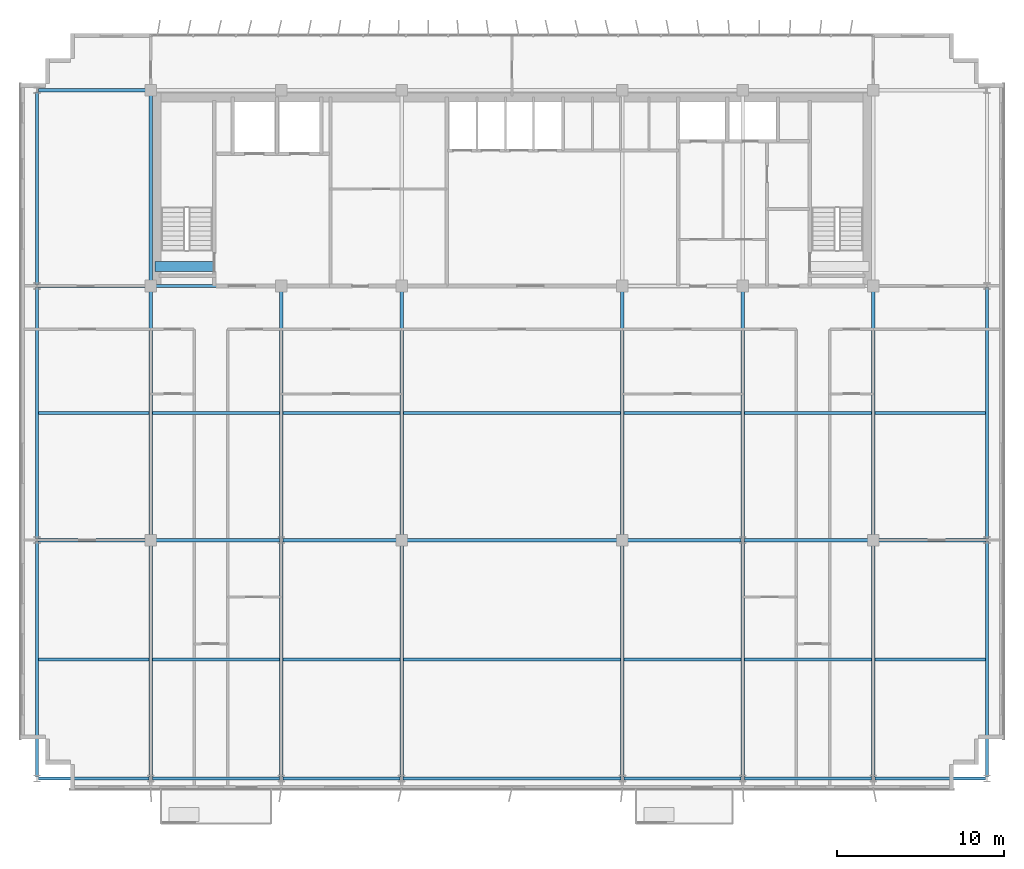
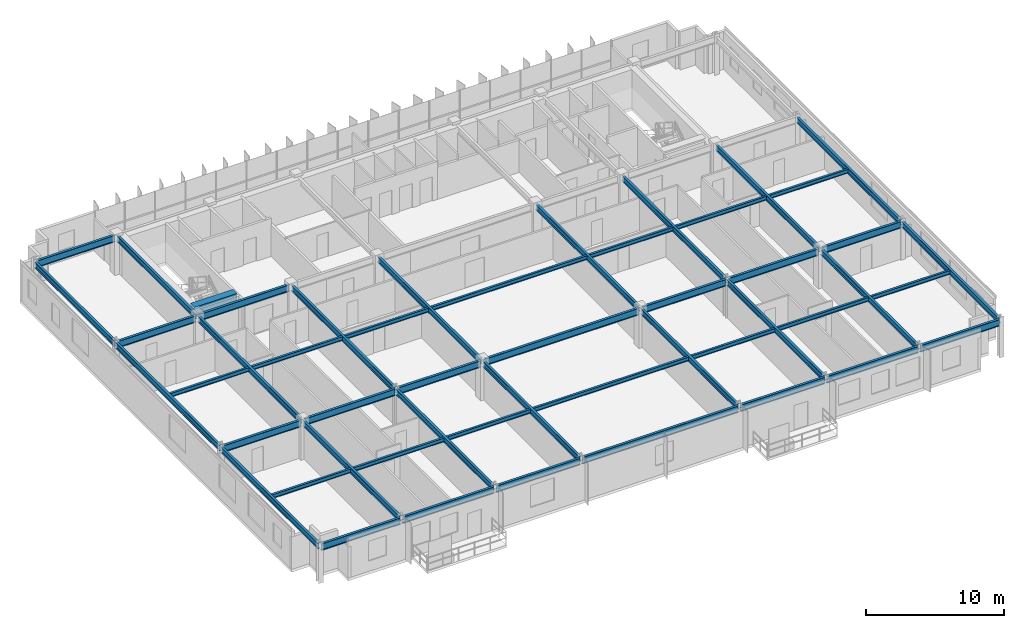
# One storey, part 3 of 20: 50 beams.
"""IFC4 building model written with IfcOpenShell, lengths in metres."""

from ifc_helpers import new_model, si_unit, direction, frame, origin, origin_2d, place, context, subcontext, project, spatial, rectangle, i_section, extrude, source, transform, mapped, material, material_profile, profile_set, type_object, element, save


model = new_model("IFC4")

# Units and contexts
model_context = context("Model", 3, precision=1e-05, world=origin(), true_north=direction((0.0, 1.0)))
body_context = subcontext(model_context, "Body", "Model", "MODEL_VIEW")
ifc_project = project(units=[si_unit("LENGTHUNIT", "METRE"), si_unit("AREAUNIT", "SQUARE_METRE"), si_unit("VOLUMEUNIT", "CUBIC_METRE"), si_unit("PLANEANGLEUNIT", "RADIAN"), si_unit("MASSUNIT", "GRAM", prefix="KILO")], contexts=[model_context])

# Site, building, storey
site_placement = place(None, origin())
site = spatial("IfcSite", under=ifc_project, at=site_placement, CompositionType="ELEMENT")
building_placement = place(site_placement, origin())
building = spatial("IfcBuilding", under=site, at=building_placement, Name="Trelvane Seafront Commons", CompositionType="ELEMENT")
storey_placement = place(building_placement, frame((0.0, 0.0, 142.89990234375)))
storey = spatial("IfcBuildingStorey", under=building, at=storey_placement, Name="L37", CompositionType="ELEMENT", Elevation=142.89990234375)

# Beams
ifc_material_1 = material(Name="Concrete C60/75", Category="concrete")
ifc_material_profile_1 = material_profile(ifc_material_1, rectangle(XDim=0.60009765625, YDim=0.89990234375, at=origin_2d()), Name="RC-600x900")
ifc_profile_set_1 = profile_set([ifc_material_profile_1], Name="Concrete C60/75")
beam_type_1 = type_object("IfcBeamType", Name="STR-LNT-RC600x900", PredefinedType="LINTEL", material=ifc_profile_set_1)
shared_shape_1 = source(origin(), body_context, "Body", "SweptSolid", [
    extrude(rectangle(XDim=0.60009765625, YDim=0.89990234375, at=origin_2d()), origin(), (0.0, 0.0, 1.0), 3.5498046875),
])
beam_1_placement = place(storey_placement, frame((15.85009765625, 34.550048828125, 2.900146484375), z_axis=(1.0, 0.0, 0.0), x_axis=(0.0, 1.0, 0.0)))
element("IfcBeam", 1, at=beam_1_placement, inside=storey, type_object=beam_type_1, Name="L37 Core Coupling Lintel Beam CB-67", PredefinedType="LINTEL", context=body_context, shape_type="MappedRepresentation", body=[
    mapped(shared_shape_1, transform((0.0, 0.0, 0.0), x_axis=(1.0, 0.0, 0.0), y_axis=(0.0, 1.0, 0.0), z_axis=(0.0, 0.0, 1.0), scale=1.0)),
])
ifc_material_2 = material(Name="Steel SM355 (S355)", Category="steel")
ifc_material_profile_2 = material_profile(ifc_material_2, i_section(OverallWidth=0.199951171875, OverallDepth=0.5, WebThickness=0.010009765625, FlangeThickness=0.01611328125, at=origin_2d()), Name="H-500x200x10x16")
ifc_profile_set_2 = profile_set([ifc_material_profile_2], Name="Steel SM355 (S355)")
beam_type_2 = type_object("IfcBeamType", Name="STR-BM-H500", PredefinedType="BEAM", material=ifc_profile_set_2)
shared_shape_2 = source(origin(), body_context, "Body", "SweptSolid", [
    extrude(i_section(OverallWidth=0.199951171875, OverallDepth=0.5, WebThickness=0.010009765625, FlangeThickness=0.01611328125, at=origin_2d()), origin(), (0.0, 0.0, 1.0), 14.89990234375),
])
for number, where, z_axis, x_axis, name in (
    (2, (15.60009765625, 18.35009765625, 3.10009765625), (0.0, 1.0, 0.0), (-1.0, 0.0, 0.0), "L37 Primary Girder G-33"),
    (3, (30.60009765625, 18.35009765625, 3.10009765625), (0.0, 1.0, 0.0), (-1.0, 0.0, 0.0), "L37 Primary Girder G-39"),
    (4, (43.800048828125, 18.35009765625, 3.10009765625), (0.0, 1.0, 0.0), (-1.0, 0.0, 0.0), "L37 Primary Girder G-42"),
    (5, (58.800048828125, 18.35009765625, 3.10009765625), (0.0, 1.0, 0.0), (-1.0, 0.0, 0.0), "L37 Primary Girder G-48"),
):
    element("IfcBeam", number, at=place(storey_placement, frame(where, z_axis=z_axis, x_axis=x_axis)), inside=storey, type_object=beam_type_2, Name=name, PredefinedType="BEAM", context=body_context, shape_type="MappedRepresentation", body=[
        mapped(shared_shape_2, transform((0.0, 0.0, 0.0), x_axis=(1.0, 0.0, 0.0), y_axis=(0.0, 1.0, 0.0), z_axis=(0.0, 0.0, 1.0), scale=1.0)),
    ])
shared_shape_3 = source(origin(), body_context, "Body", "SweptSolid", [
    extrude(i_section(OverallWidth=0.199951171875, OverallDepth=0.5, WebThickness=0.010009765625, FlangeThickness=0.01611328125, at=origin_2d()), origin(), (0.0, 0.0, 1.0), 11.39990234375),
])
beam_2_placement = place(storey_placement, frame((15.60009765625, 33.550048828125, 3.10009765625), z_axis=(0.0, 1.0, 0.0), x_axis=(-1.0, 0.0, 0.0)))
element("IfcBeam", 6, at=beam_2_placement, inside=storey, type_object=beam_type_2, Name="L37 Primary Girder G-34", PredefinedType="BEAM", context=body_context, shape_type="MappedRepresentation", body=[
    mapped(shared_shape_3, transform((0.0, 0.0, 0.0), x_axis=(1.0, 0.0, 0.0), y_axis=(0.0, 1.0, 0.0), z_axis=(0.0, 0.0, 1.0), scale=1.0)),
])
ifc_material_profile_3 = material_profile(ifc_material_2, i_section(OverallWidth=0.175048828125, OverallDepth=0.35009765625, WebThickness=0.007080078125, FlangeThickness=0.010986328125, at=origin_2d()), Name="H-350x175x7x11")
ifc_profile_set_3 = profile_set([ifc_material_profile_3], Name="Steel SM355 (S355)")
beam_type_3 = type_object("IfcBeamType", Name="STR-JST-H350", PredefinedType="JOIST", material=ifc_profile_set_3)
shared_shape_4 = source(origin(), body_context, "Body", "SweptSolid", [
    extrude(i_section(OverallWidth=0.175048828125, OverallDepth=0.35009765625, WebThickness=0.007080078125, FlangeThickness=0.010986328125, at=origin_2d()), origin(), (0.0, 0.0, 1.0), 6.60009765625),
])
for number, where, z_axis, x_axis, name in (
    (7, (8.89990234375, 11.074951171875, 3.175048828125), (1.0, 0.0, 0.0), (0.0, 1.0, 0.0), "L37 Secondary Floor Joist B-53"),
    (8, (58.89990234375, 11.074951171875, 3.175048828125), (1.0, 0.0, 0.0), (0.0, 1.0, 0.0), "L37 Secondary Floor Joist B-59"),
    (9, (8.89990234375, 25.800048828125, 3.175048828125), (1.0, 0.0, 0.0), (0.0, 1.0, 0.0), "L37 Secondary Floor Joist B-60"),
    (10, (58.89990234375, 25.800048828125, 3.175048828125), (1.0, 0.0, 0.0), (0.0, 1.0, 0.0), "L37 Secondary Floor Joist B-66"),
):
    element("IfcBeam", number, at=place(storey_placement, frame(where, z_axis=z_axis, x_axis=x_axis)), inside=storey, type_object=beam_type_3, Name=name, PredefinedType="JOIST", context=body_context, shape_type="MappedRepresentation", body=[
        mapped(shared_shape_4, transform((0.0, 0.0, 0.0), x_axis=(1.0, 0.0, 0.0), y_axis=(0.0, 1.0, 0.0), z_axis=(0.0, 0.0, 1.0), scale=1.0)),
    ])
shared_shape_5 = source(origin(), body_context, "Body", "SweptSolid", [
    extrude(i_section(OverallWidth=0.175048828125, OverallDepth=0.35009765625, WebThickness=0.007080078125, FlangeThickness=0.010986328125, at=origin_2d()), origin(), (0.0, 0.0, 1.0), 7.60009765625),
])
for number, where, z_axis, x_axis, name in (
    (11, (15.699951171875, 11.074951171875, 3.175048828125), (1.0, 0.0, 0.0), (0.0, 1.0, 0.0), "L37 Secondary Floor Joist B-54"),
    (12, (15.699951171875, 25.800048828125, 3.175048828125), (1.0, 0.0, 0.0), (0.0, 1.0, 0.0), "L37 Secondary Floor Joist B-61"),
):
    element("IfcBeam", number, at=place(storey_placement, frame(where, z_axis=z_axis, x_axis=x_axis)), inside=storey, type_object=beam_type_3, Name=name, PredefinedType="JOIST", context=body_context, shape_type="MappedRepresentation", body=[
        mapped(shared_shape_5, transform((0.0, 0.0, 0.0), x_axis=(1.0, 0.0, 0.0), y_axis=(0.0, 1.0, 0.0), z_axis=(0.0, 0.0, 1.0), scale=1.0)),
    ])
shared_shape_6 = source(origin(), body_context, "Body", "SweptSolid", [
    extrude(i_section(OverallWidth=0.175048828125, OverallDepth=0.35009765625, WebThickness=0.007080078125, FlangeThickness=0.010986328125, at=origin_2d()), origin(), (0.0, 0.0, 1.0), 7.0),
])
for number, where, z_axis, x_axis, name in (
    (13, (23.5, 11.074951171875, 3.175048828125), (1.0, 0.0, 0.0), (0.0, 1.0, 0.0), "L37 Secondary Floor Joist B-55"),
    (14, (43.89990234375, 11.074951171875, 3.175048828125), (1.0, 0.0, 0.0), (0.0, 1.0, 0.0), "L37 Secondary Floor Joist B-57"),
    (15, (23.5, 25.800048828125, 3.175048828125), (1.0, 0.0, 0.0), (0.0, 1.0, 0.0), "L37 Secondary Floor Joist B-62"),
    (16, (43.89990234375, 25.800048828125, 3.175048828125), (1.0, 0.0, 0.0), (0.0, 1.0, 0.0), "L37 Secondary Floor Joist B-64"),
):
    element("IfcBeam", number, at=place(storey_placement, frame(where, z_axis=z_axis, x_axis=x_axis)), inside=storey, type_object=beam_type_3, Name=name, PredefinedType="JOIST", context=body_context, shape_type="MappedRepresentation", body=[
        mapped(shared_shape_6, transform((0.0, 0.0, 0.0), x_axis=(1.0, 0.0, 0.0), y_axis=(0.0, 1.0, 0.0), z_axis=(0.0, 0.0, 1.0), scale=1.0)),
    ])
shared_shape_7 = source(origin(), body_context, "Body", "SweptSolid", [
    extrude(i_section(OverallWidth=0.175048828125, OverallDepth=0.35009765625, WebThickness=0.007080078125, FlangeThickness=0.010986328125, at=origin_2d()), origin(), (0.0, 0.0, 1.0), 13.0),
])
for number, where, z_axis, x_axis, name in (
    (17, (30.699951171875, 11.074951171875, 3.175048828125), (1.0, 0.0, 0.0), (0.0, 1.0, 0.0), "L37 Secondary Floor Joist B-56"),
    (18, (30.699951171875, 25.800048828125, 3.175048828125), (1.0, 0.0, 0.0), (0.0, 1.0, 0.0), "L37 Secondary Floor Joist B-63"),
):
    element("IfcBeam", number, at=place(storey_placement, frame(where, z_axis=z_axis, x_axis=x_axis)), inside=storey, type_object=beam_type_3, Name=name, PredefinedType="JOIST", context=body_context, shape_type="MappedRepresentation", body=[
        mapped(shared_shape_7, transform((0.0, 0.0, 0.0), x_axis=(1.0, 0.0, 0.0), y_axis=(0.0, 1.0, 0.0), z_axis=(0.0, 0.0, 1.0), scale=1.0)),
    ])
shared_shape_8 = source(origin(), body_context, "Body", "SweptSolid", [
    extrude(i_section(OverallWidth=0.175048828125, OverallDepth=0.35009765625, WebThickness=0.007080078125, FlangeThickness=0.010986328125, at=origin_2d()), origin(), (0.0, 0.0, 1.0), 7.599853515625),
])
for number, where, z_axis, x_axis, name in (
    (19, (51.10009765625, 11.074951171875, 3.175048828125), (1.0, 0.0, 0.0), (0.0, 1.0, 0.0), "L37 Secondary Floor Joist B-58"),
    (20, (51.10009765625, 25.800048828125, 3.175048828125), (1.0, 0.0, 0.0), (0.0, 1.0, 0.0), "L37 Secondary Floor Joist B-65"),
):
    element("IfcBeam", number, at=place(storey_placement, frame(where, z_axis=z_axis, x_axis=x_axis)), inside=storey, type_object=beam_type_3, Name=name, PredefinedType="JOIST", context=body_context, shape_type="MappedRepresentation", body=[
        mapped(shared_shape_8, transform((0.0, 0.0, 0.0), x_axis=(1.0, 0.0, 0.0), y_axis=(0.0, 1.0, 0.0), z_axis=(0.0, 0.0, 1.0), scale=1.0)),
    ])
ifc_material_profile_4 = material_profile(ifc_material_2, i_section(OverallWidth=0.199951171875, OverallDepth=0.60009765625, WebThickness=0.010986328125, FlangeThickness=0.01708984375, at=origin_2d()), Name="H-600x200x11x17")
ifc_profile_set_4 = profile_set([ifc_material_profile_4], Name="Steel SM355 (S355)")
beam_type_4 = type_object("IfcBeamType", Name="STR-SPD-H600", PredefinedType="SPANDREL", material=ifc_profile_set_4)
shared_shape_9 = source(origin(), body_context, "Body", "SweptSolid", [
    extrude(i_section(OverallWidth=0.199951171875, OverallDepth=0.60009765625, WebThickness=0.010986328125, FlangeThickness=0.01708984375, at=origin_2d()), origin(), (0.0, 0.0, 1.0), 6.60986328125),
])
for number, where, z_axis, x_axis, name in (
    (21, (8.89501953125, 3.949951171875, 3.050048828125), (1.0, 0.0, 0.0), (0.0, 1.0, 0.0), "L37 Primary Girder G-01"),
    (22, (58.89501953125, 3.949951171875, 3.050048828125), (1.0, 0.0, 0.0), (0.0, 1.0, 0.0), "L37 Primary Girder G-07"),
):
    element("IfcBeam", number, at=place(storey_placement, frame(where, z_axis=z_axis, x_axis=x_axis)), inside=storey, type_object=beam_type_4, Name=name, PredefinedType="SPANDREL", context=body_context, shape_type="MappedRepresentation", body=[
        mapped(shared_shape_9, transform((0.0, 0.0, 0.0), x_axis=(1.0, 0.0, 0.0), y_axis=(0.0, 1.0, 0.0), z_axis=(0.0, 0.0, 1.0), scale=1.0)),
    ])
shared_shape_10 = source(origin(), body_context, "Body", "SweptSolid", [
    extrude(i_section(OverallWidth=0.199951171875, OverallDepth=0.60009765625, WebThickness=0.010986328125, FlangeThickness=0.01708984375, at=origin_2d()), origin(), (0.0, 0.0, 1.0), 7.60986328125),
])
beam_3_placement = place(storey_placement, frame((15.695068359375, 3.949951171875, 3.050048828125), z_axis=(1.0, 0.0, 0.0), x_axis=(0.0, 1.0, 0.0)))
element("IfcBeam", 23, at=beam_3_placement, inside=storey, type_object=beam_type_4, Name="L37 Primary Girder G-02", PredefinedType="SPANDREL", context=body_context, shape_type="MappedRepresentation", body=[
    mapped(shared_shape_10, transform((0.0, 0.0, 0.0), x_axis=(1.0, 0.0, 0.0), y_axis=(0.0, 1.0, 0.0), z_axis=(0.0, 0.0, 1.0), scale=1.0)),
])
shared_shape_11 = source(origin(), body_context, "Body", "SweptSolid", [
    extrude(i_section(OverallWidth=0.199951171875, OverallDepth=0.60009765625, WebThickness=0.010986328125, FlangeThickness=0.01708984375, at=origin_2d()), origin(), (0.0, 0.0, 1.0), 7.009765625),
])
beam_4_placement = place(storey_placement, frame((23.4951171875, 3.949951171875, 3.050048828125), z_axis=(1.0, 0.0, 0.0), x_axis=(0.0, 1.0, 0.0)))
element("IfcBeam", 24, at=beam_4_placement, inside=storey, type_object=beam_type_4, Name="L37 Primary Girder G-03", PredefinedType="SPANDREL", context=body_context, shape_type="MappedRepresentation", body=[
    mapped(shared_shape_11, transform((0.0, 0.0, 0.0), x_axis=(1.0, 0.0, 0.0), y_axis=(0.0, 1.0, 0.0), z_axis=(0.0, 0.0, 1.0), scale=1.0)),
])
shared_shape_12 = source(origin(), body_context, "Body", "SweptSolid", [
    extrude(i_section(OverallWidth=0.199951171875, OverallDepth=0.60009765625, WebThickness=0.010986328125, FlangeThickness=0.01708984375, at=origin_2d()), origin(), (0.0, 0.0, 1.0), 13.010009765625),
])
beam_5_placement = place(storey_placement, frame((30.695068359375, 3.949951171875, 3.050048828125), z_axis=(1.0, 0.0, 0.0), x_axis=(0.0, 1.0, 0.0)))
element("IfcBeam", 25, at=beam_5_placement, inside=storey, type_object=beam_type_4, Name="L37 Primary Girder G-04", PredefinedType="SPANDREL", context=body_context, shape_type="MappedRepresentation", body=[
    mapped(shared_shape_12, transform((0.0, 0.0, 0.0), x_axis=(1.0, 0.0, 0.0), y_axis=(0.0, 1.0, 0.0), z_axis=(0.0, 0.0, 1.0), scale=1.0)),
])
shared_shape_13 = source(origin(), body_context, "Body", "SweptSolid", [
    extrude(i_section(OverallWidth=0.199951171875, OverallDepth=0.60009765625, WebThickness=0.010986328125, FlangeThickness=0.01708984375, at=origin_2d()), origin(), (0.0, 0.0, 1.0), 7.010009765625),
])
beam_6_placement = place(storey_placement, frame((43.89501953125, 3.949951171875, 3.050048828125), z_axis=(1.0, 0.0, 0.0), x_axis=(0.0, 1.0, 0.0)))
element("IfcBeam", 26, at=beam_6_placement, inside=storey, type_object=beam_type_4, Name="L37 Primary Girder G-05", PredefinedType="SPANDREL", context=body_context, shape_type="MappedRepresentation", body=[
    mapped(shared_shape_13, transform((0.0, 0.0, 0.0), x_axis=(1.0, 0.0, 0.0), y_axis=(0.0, 1.0, 0.0), z_axis=(0.0, 0.0, 1.0), scale=1.0)),
])
shared_shape_14 = source(origin(), body_context, "Body", "SweptSolid", [
    extrude(i_section(OverallWidth=0.199951171875, OverallDepth=0.60009765625, WebThickness=0.010986328125, FlangeThickness=0.01708984375, at=origin_2d()), origin(), (0.0, 0.0, 1.0), 7.610107421875),
])
beam_7_placement = place(storey_placement, frame((51.094970703125, 3.949951171875, 3.050048828125), z_axis=(1.0, 0.0, 0.0), x_axis=(0.0, 1.0, 0.0)))
element("IfcBeam", 27, at=beam_7_placement, inside=storey, type_object=beam_type_4, Name="L37 Primary Girder G-06", PredefinedType="SPANDREL", context=body_context, shape_type="MappedRepresentation", body=[
    mapped(shared_shape_14, transform((0.0, 0.0, 0.0), x_axis=(1.0, 0.0, 0.0), y_axis=(0.0, 1.0, 0.0), z_axis=(0.0, 0.0, 1.0), scale=1.0)),
])
shared_shape_15 = source(origin(), body_context, "Body", "SweptSolid", [
    extrude(i_section(OverallWidth=0.199951171875, OverallDepth=0.60009765625, WebThickness=0.010986328125, FlangeThickness=0.01708984375, at=origin_2d()), origin(), (0.0, 0.0, 1.0), 6.554931640625),
])
for number, where, z_axis, x_axis, name in (
    (28, (8.89501953125, 18.199951171875, 3.050048828125), (1.0, 0.0, 0.0), (0.0, 1.0, 0.0), "L37 Primary Girder G-08"),
    (29, (58.949951171875, 18.199951171875, 3.050048828125), (1.0, 0.0, 0.0), (0.0, 1.0, 0.0), "L37 Primary Girder G-14"),
    (30, (8.89501953125, 33.39990234375, 3.050048828125), (1.0, 0.0, 0.0), (0.0, 1.0, 0.0), "L37 Primary Girder G-15"),
    (31, (8.89501953125, 45.10009765625, 3.050048828125), (1.0, 0.0, 0.0), (0.0, 1.0, 0.0), "L37 Primary Girder G-22"),
):
    element("IfcBeam", number, at=place(storey_placement, frame(where, z_axis=z_axis, x_axis=x_axis)), inside=storey, type_object=beam_type_4, Name=name, PredefinedType="SPANDREL", context=body_context, shape_type="MappedRepresentation", body=[
        mapped(shared_shape_15, transform((0.0, 0.0, 0.0), x_axis=(1.0, 0.0, 0.0), y_axis=(0.0, 1.0, 0.0), z_axis=(0.0, 0.0, 1.0), scale=1.0)),
    ])
shared_shape_16 = source(origin(), body_context, "Body", "SweptSolid", [
    extrude(i_section(OverallWidth=0.199951171875, OverallDepth=0.60009765625, WebThickness=0.010986328125, FlangeThickness=0.01708984375, at=origin_2d()), origin(), (0.0, 0.0, 1.0), 7.554931640625),
])
for number, where, z_axis, x_axis, name in (
    (32, (15.75, 18.199951171875, 3.050048828125), (1.0, 0.0, 0.0), (0.0, 1.0, 0.0), "L37 Primary Girder G-09"),
    (33, (51.094970703125, 18.199951171875, 3.050048828125), (1.0, 0.0, 0.0), (0.0, 1.0, 0.0), "L37 Primary Girder G-13"),
):
    element("IfcBeam", number, at=place(storey_placement, frame(where, z_axis=z_axis, x_axis=x_axis)), inside=storey, type_object=beam_type_4, Name=name, PredefinedType="SPANDREL", context=body_context, shape_type="MappedRepresentation", body=[
        mapped(shared_shape_16, transform((0.0, 0.0, 0.0), x_axis=(1.0, 0.0, 0.0), y_axis=(0.0, 1.0, 0.0), z_axis=(0.0, 0.0, 1.0), scale=1.0)),
    ])
shared_shape_17 = source(origin(), body_context, "Body", "SweptSolid", [
    extrude(i_section(OverallWidth=0.199951171875, OverallDepth=0.60009765625, WebThickness=0.010986328125, FlangeThickness=0.01708984375, at=origin_2d()), origin(), (0.0, 0.0, 1.0), 6.954833984375),
])
beam_8_placement = place(storey_placement, frame((23.4951171875, 18.199951171875, 3.050048828125), z_axis=(1.0, 0.0, 0.0), x_axis=(0.0, 1.0, 0.0)))
element("IfcBeam", 34, at=beam_8_placement, inside=storey, type_object=beam_type_4, Name="L37 Primary Girder G-10", PredefinedType="SPANDREL", context=body_context, shape_type="MappedRepresentation", body=[
    mapped(shared_shape_17, transform((0.0, 0.0, 0.0), x_axis=(1.0, 0.0, 0.0), y_axis=(0.0, 1.0, 0.0), z_axis=(0.0, 0.0, 1.0), scale=1.0)),
])
shared_shape_18 = source(origin(), body_context, "Body", "SweptSolid", [
    extrude(i_section(OverallWidth=0.199951171875, OverallDepth=0.60009765625, WebThickness=0.010986328125, FlangeThickness=0.01708984375, at=origin_2d()), origin(), (0.0, 0.0, 1.0), 12.89990234375),
])
beam_9_placement = place(storey_placement, frame((30.75, 18.199951171875, 3.050048828125), z_axis=(1.0, 0.0, 0.0), x_axis=(0.0, 1.0, 0.0)))
element("IfcBeam", 35, at=beam_9_placement, inside=storey, type_object=beam_type_4, Name="L37 Primary Girder G-11", PredefinedType="SPANDREL", context=body_context, shape_type="MappedRepresentation", body=[
    mapped(shared_shape_18, transform((0.0, 0.0, 0.0), x_axis=(1.0, 0.0, 0.0), y_axis=(0.0, 1.0, 0.0), z_axis=(0.0, 0.0, 1.0), scale=1.0)),
])
shared_shape_19 = source(origin(), body_context, "Body", "SweptSolid", [
    extrude(i_section(OverallWidth=0.199951171875, OverallDepth=0.60009765625, WebThickness=0.010986328125, FlangeThickness=0.01708984375, at=origin_2d()), origin(), (0.0, 0.0, 1.0), 6.955078125),
])
beam_10_placement = place(storey_placement, frame((43.949951171875, 18.199951171875, 3.050048828125), z_axis=(1.0, 0.0, 0.0), x_axis=(0.0, 1.0, 0.0)))
element("IfcBeam", 36, at=beam_10_placement, inside=storey, type_object=beam_type_4, Name="L37 Primary Girder G-12", PredefinedType="SPANDREL", context=body_context, shape_type="MappedRepresentation", body=[
    mapped(shared_shape_19, transform((0.0, 0.0, 0.0), x_axis=(1.0, 0.0, 0.0), y_axis=(0.0, 1.0, 0.0), z_axis=(0.0, 0.0, 1.0), scale=1.0)),
])
shared_shape_20 = source(origin(), body_context, "Body", "SweptSolid", [
    extrude(i_section(OverallWidth=0.199951171875, OverallDepth=0.60009765625, WebThickness=0.010986328125, FlangeThickness=0.01708984375, at=origin_2d()), origin(), (0.0, 0.0, 1.0), 7.5),
])
beam_11_placement = place(storey_placement, frame((15.75, 33.39990234375, 3.050048828125), z_axis=(1.0, 0.0, 0.0), x_axis=(0.0, 1.0, 0.0)))
element("IfcBeam", 37, at=beam_11_placement, inside=storey, type_object=beam_type_4, Name="L37 Primary Girder G-16", PredefinedType="SPANDREL", context=body_context, shape_type="MappedRepresentation", body=[
    mapped(shared_shape_20, transform((0.0, 0.0, 0.0), x_axis=(1.0, 0.0, 0.0), y_axis=(0.0, 1.0, 0.0), z_axis=(0.0, 0.0, 1.0), scale=1.0)),
])
shared_shape_21 = source(origin(), body_context, "Body", "SweptSolid", [
    extrude(i_section(OverallWidth=0.199951171875, OverallDepth=0.5, WebThickness=0.010009765625, FlangeThickness=0.01611328125, at=origin_2d()), origin(), (0.0, 0.0, 1.0), 14.06005859375),
])
for number, where, z_axis, x_axis, name in (
    (38, (8.800048828125, 4.044921875, 3.10009765625), (0.0, 1.0, 0.0), (-1.0, 0.0, 0.0), "L37 Primary Girder G-29"),
    (39, (23.39990234375, 4.044921875, 3.10009765625), (0.0, 1.0, 0.0), (-1.0, 0.0, 0.0), "L37 Primary Girder G-35"),
    (40, (51.0, 4.044921875, 3.10009765625), (0.0, 1.0, 0.0), (-1.0, 0.0, 0.0), "L37 Primary Girder G-44"),
    (41, (65.60009765625, 4.044921875, 3.10009765625), (0.0, 1.0, 0.0), (-1.0, 0.0, 0.0), "L37 Primary Girder G-50"),
):
    element("IfcBeam", number, at=place(storey_placement, frame(where, z_axis=z_axis, x_axis=x_axis)), inside=storey, type_object=beam_type_2, Name=name, PredefinedType="BEAM", context=body_context, shape_type="MappedRepresentation", body=[
        mapped(shared_shape_21, transform((0.0, 0.0, 0.0), x_axis=(1.0, 0.0, 0.0), y_axis=(0.0, 1.0, 0.0), z_axis=(0.0, 0.0, 1.0), scale=1.0)),
    ])
shared_shape_22 = source(origin(), body_context, "Body", "SweptSolid", [
    extrude(i_section(OverallWidth=0.199951171875, OverallDepth=0.5, WebThickness=0.010009765625, FlangeThickness=0.01611328125, at=origin_2d()), origin(), (0.0, 0.0, 1.0), 15.010009765625),
])
for number, where, z_axis, x_axis, name in (
    (42, (8.800048828125, 18.294921875, 3.10009765625), (0.0, 1.0, 0.0), (-1.0, 0.0, 0.0), "L37 Primary Girder G-30"),
    (43, (65.60009765625, 18.294921875, 3.10009765625), (0.0, 1.0, 0.0), (-1.0, 0.0, 0.0), "L37 Primary Girder G-51"),
):
    element("IfcBeam", number, at=place(storey_placement, frame(where, z_axis=z_axis, x_axis=x_axis)), inside=storey, type_object=beam_type_2, Name=name, PredefinedType="BEAM", context=body_context, shape_type="MappedRepresentation", body=[
        mapped(shared_shape_22, transform((0.0, 0.0, 0.0), x_axis=(1.0, 0.0, 0.0), y_axis=(0.0, 1.0, 0.0), z_axis=(0.0, 0.0, 1.0), scale=1.0)),
    ])
shared_shape_23 = source(origin(), body_context, "Body", "SweptSolid", [
    extrude(i_section(OverallWidth=0.199951171875, OverallDepth=0.5, WebThickness=0.010009765625, FlangeThickness=0.01611328125, at=origin_2d()), origin(), (0.0, 0.0, 1.0), 11.509765625),
])
beam_12_placement = place(storey_placement, frame((8.800048828125, 33.4951171875, 3.10009765625), z_axis=(0.0, 1.0, 0.0), x_axis=(-1.0, 0.0, 0.0)))
element("IfcBeam", 44, at=beam_12_placement, inside=storey, type_object=beam_type_2, Name="L37 Primary Girder G-31", PredefinedType="BEAM", context=body_context, shape_type="MappedRepresentation", body=[
    mapped(shared_shape_23, transform((0.0, 0.0, 0.0), x_axis=(1.0, 0.0, 0.0), y_axis=(0.0, 1.0, 0.0), z_axis=(0.0, 0.0, 1.0), scale=1.0)),
])
shared_shape_24 = source(origin(), body_context, "Body", "SweptSolid", [
    extrude(i_section(OverallWidth=0.199951171875, OverallDepth=0.5, WebThickness=0.010009765625, FlangeThickness=0.01611328125, at=origin_2d()), origin(), (0.0, 0.0, 1.0), 14.005126953125),
])
for number, where, z_axis, x_axis, name in (
    (45, (15.60009765625, 4.044921875, 3.10009765625), (0.0, 1.0, 0.0), (-1.0, 0.0, 0.0), "L37 Primary Girder G-32"),
    (46, (30.60009765625, 4.044921875, 3.10009765625), (0.0, 1.0, 0.0), (-1.0, 0.0, 0.0), "L37 Primary Girder G-38"),
    (47, (43.800048828125, 4.044921875, 3.10009765625), (0.0, 1.0, 0.0), (-1.0, 0.0, 0.0), "L37 Primary Girder G-41"),
    (48, (58.800048828125, 4.044921875, 3.10009765625), (0.0, 1.0, 0.0), (-1.0, 0.0, 0.0), "L37 Primary Girder G-47"),
):
    element("IfcBeam", number, at=place(storey_placement, frame(where, z_axis=z_axis, x_axis=x_axis)), inside=storey, type_object=beam_type_2, Name=name, PredefinedType="BEAM", context=body_context, shape_type="MappedRepresentation", body=[
        mapped(shared_shape_24, transform((0.0, 0.0, 0.0), x_axis=(1.0, 0.0, 0.0), y_axis=(0.0, 1.0, 0.0), z_axis=(0.0, 0.0, 1.0), scale=1.0)),
    ])
shared_shape_25 = source(origin(), body_context, "Body", "SweptSolid", [
    extrude(i_section(OverallWidth=0.199951171875, OverallDepth=0.5, WebThickness=0.010009765625, FlangeThickness=0.01611328125, at=origin_2d()), origin(), (0.0, 0.0, 1.0), 14.955078125),
])
for number, where, z_axis, x_axis, name in (
    (49, (23.39990234375, 18.294921875, 3.10009765625), (0.0, 1.0, 0.0), (-1.0, 0.0, 0.0), "L37 Primary Girder G-36"),
    (50, (51.0, 18.294921875, 3.10009765625), (0.0, 1.0, 0.0), (-1.0, 0.0, 0.0), "L37 Primary Girder G-45"),
):
    element("IfcBeam", number, at=place(storey_placement, frame(where, z_axis=z_axis, x_axis=x_axis)), inside=storey, type_object=beam_type_2, Name=name, PredefinedType="BEAM", context=body_context, shape_type="MappedRepresentation", body=[
        mapped(shared_shape_25, transform((0.0, 0.0, 0.0), x_axis=(1.0, 0.0, 0.0), y_axis=(0.0, 1.0, 0.0), z_axis=(0.0, 0.0, 1.0), scale=1.0)),
    ])

save(model, "model.ifc")
